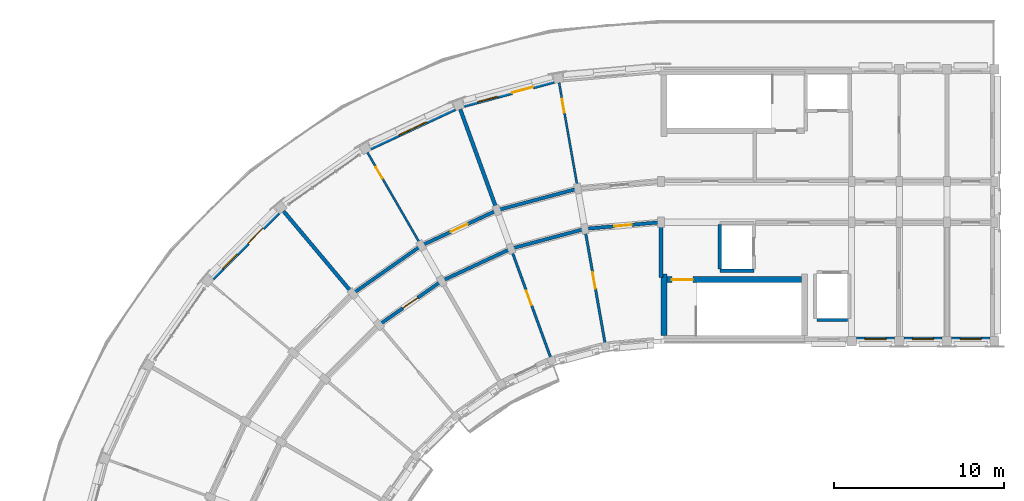
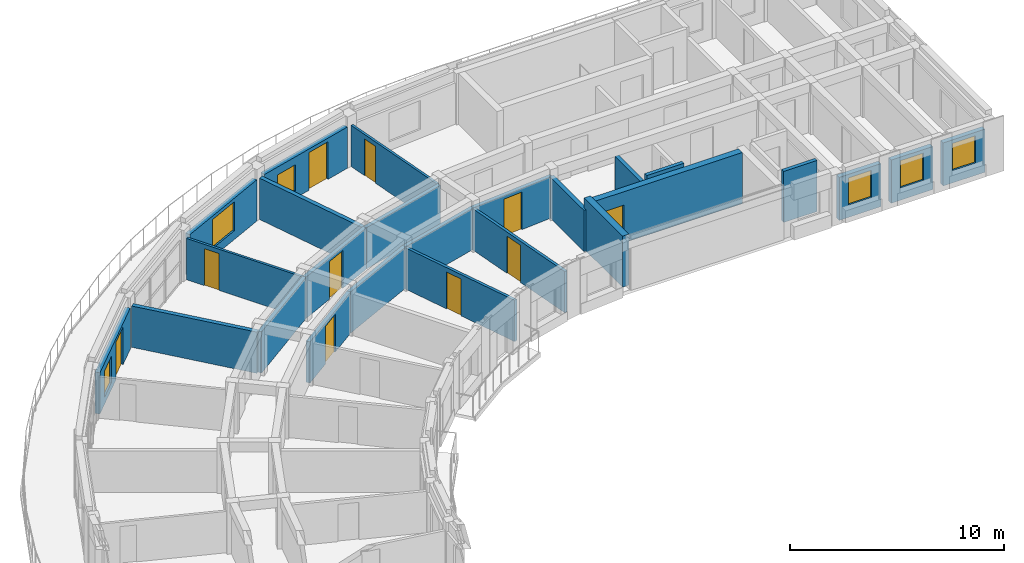
# One storey, part 8 of 14: 25 walls, 10 doors, 6 windows, 16 openings.
"""IFC4 building model written with IfcOpenShell, lengths in metres."""

from ifc_helpers import new_model, si_unit, direction, frame, frame_2d, origin, place, context, subcontext, project, spatial, rectangle, extrude, material, layer, layer_set, type_object, element, fill, save


model = new_model("IFC4")

# Units and contexts
model_context = context("Model", 3, precision=1e-05, world=origin(), true_north=direction((0.0, 1.0)))
body_context = subcontext(model_context, "Body", "Model", "MODEL_VIEW")
ifc_project = project(units=[si_unit("LENGTHUNIT", "METRE"), si_unit("AREAUNIT", "SQUARE_METRE"), si_unit("VOLUMEUNIT", "CUBIC_METRE"), si_unit("PLANEANGLEUNIT", "RADIAN"), si_unit("MASSUNIT", "GRAM", prefix="KILO")], contexts=[model_context])

# Site, building, storey
site_placement = place(None, origin())
site = spatial("IfcSite", under=ifc_project, at=site_placement, CompositionType="ELEMENT")
building_placement = place(site_placement, origin())
building = spatial("IfcBuilding", under=site, at=building_placement, Name="Kiranvali Square Residences", CompositionType="ELEMENT")
storey_placement = place(building_placement, frame((0.0, 0.0, 49.64990234375)))
storey = spatial("IfcBuildingStorey", under=building, at=storey_placement, Name="L15", CompositionType="ELEMENT", Elevation=49.64990234375)

# Wall, opening, door
ifc_material_1 = material(Name="Autoclaved aerated concrete blockwork masonry", Category="masonry")
ifc_layer_1 = layer(ifc_material_1, 0.199951171875)
ifc_layer_set_1 = layer_set([ifc_layer_1], Name="Autoclaved aerated concrete blockwork masonry")
wall_type_1 = type_object("IfcWallType", Name="WL-COR-200", PredefinedType="STANDARD", material=ifc_layer_set_1)
wall_1_placement = place(storey_placement, frame((48.199951171875, 113.60009765625, 0.0), z_axis=(0.0, 0.0, 1.0), x_axis=(-0.996191949488, -0.087187153726, 0.0)))
wall_1 = element("IfcWall", 1, at=wall_1_placement, inside=storey, type_object=wall_type_1, Name="L15 architectural wall WL-L15-A-CCI-0", PredefinedType="STANDARD", context=body_context, shape_type="SweptSolid", body=[
    extrude(rectangle(XDim=4.4970703125, YDim=0.199951171875, at=frame_2d((2.24853515625, 0.0))), origin(), (0.0, 0.0, 1.0), 2.35205078125),
])
opening_1_placement = place(wall_1_placement, frame((1.728515625, 0.0, 0.0)))
opening_1 = element("IfcOpeningElement", 2, at=opening_1_placement, cuts=wall_1, Name="Opening FD-APT-60B", PredefinedType="OPENING", context=body_context, shape_type="SweptSolid", body=[
    extrude(rectangle(XDim=1.0400390625, YDim=2.14990234375, at=frame_2d((0.52001953125, 1.074951171875))), frame((0.0, 0.10986328125, 0.0), z_axis=(0.0, -1.0, 0.0), x_axis=(1.0, 0.0, 0.0)), (0.0, 0.0, 1.0), 0.219970703125),
])
ifc_material_2 = material(Name="Fire-rated acoustic hardwood and mineral-core door assembly", Category="wood")
door_type_1 = type_object("IfcDoorType", Name="DR-APT-1040", OperationType="NOTDEFINED", PredefinedType="DOOR", material=ifc_material_2)
door_1_placement = place(opening_1_placement, origin())
door_1 = element("IfcDoor", 3, at=door_1_placement, inside=storey, type_object=door_type_1, Name="L15 door DR-L15-0933 (DR-APT-1040)", OperationType="SINGLE_SWING_LEFT", OverallHeight=2.14990234375, OverallWidth=1.0400390625, PredefinedType="DOOR", context=body_context, shape_type="SweptSolid", body=[
    extrude(rectangle(XDim=1.0400390625, YDim=2.14990234375, at=frame_2d((0.52001953125, 1.074951171875))), frame((0.0, 0.02490234375, 0.0), z_axis=(0.0, -1.0, 0.0), x_axis=(1.0, 0.0, 0.0)), (0.0, 0.0, 1.0), 0.050048828125),
])
fill(opening_1, door_1)

# Walls
wall_2_placement = place(storey_placement, frame((43.719970703125, 113.2080078125, 0.0), z_axis=(0.0, 0.0, 1.0), x_axis=(-0.965934240054, -0.258787642463, 0.0)))
element("IfcWall", 4, at=wall_2_placement, inside=storey, type_object=wall_type_1, Name="L15 architectural wall WL-L15-A-CCI-1", PredefinedType="STANDARD", context=body_context, shape_type="SweptSolid", body=[
    extrude(rectangle(XDim=4.497314453125, YDim=0.199951171875, at=frame_2d((2.24853515625, 0.0))), origin(), (0.0, 0.0, 1.0), 2.35205078125),
])
wall_3_placement = place(storey_placement, frame((43.30322265625, 115.571533203125, 0.0), z_axis=(0.0, 0.0, 1.0), x_axis=(-0.965930095386, -0.258803112091, 0.0)))
element("IfcWall", 5, at=wall_3_placement, inside=storey, type_object=wall_type_1, Name="L15 architectural wall WL-L15-A-CCO-1", PredefinedType="STANDARD", context=body_context, shape_type="SweptSolid", body=[
    extrude(rectangle(XDim=4.915771484375, YDim=0.199951171875, at=frame_2d((2.4580078125, 0.0))), origin(), (0.0, 0.0, 1.0), 2.35205078125),
])
wall_4_placement = place(storey_placement, frame((39.3759765625, 112.044189453125, 0.0), z_axis=(0.0, 0.0, 1.0), x_axis=(-0.906307919131, -0.422617978463, 0.0)))
element("IfcWall", 6, at=wall_4_placement, inside=storey, type_object=wall_type_1, Name="L15 architectural wall WL-L15-A-CCI-2", PredefinedType="STANDARD", context=body_context, shape_type="SweptSolid", body=[
    extrude(rectangle(XDim=4.497314453125, YDim=0.199951171875, at=frame_2d((2.24853515625, 0.0))), origin(), (0.0, 0.0, 1.0), 2.35205078125),
])

# Wall, opening, door
wall_5_placement = place(storey_placement, frame((38.554931640625, 114.29931640625, 0.0), z_axis=(0.0, 0.0, 1.0), x_axis=(-0.906302381024, -0.422629854778, 0.0)))
wall_5 = element("IfcWall", 7, at=wall_5_placement, inside=storey, type_object=wall_type_1, Name="L15 architectural wall WL-L15-A-CCO-2", PredefinedType="STANDARD", context=body_context, shape_type="SweptSolid", body=[
    extrude(rectangle(XDim=4.915283203125, YDim=0.199951171875, at=frame_2d((2.45751953125, 0.0))), origin(), (0.0, 0.0, 1.0), 2.35205078125),
])
opening_2_placement = place(wall_5_placement, frame((1.917724609375, 0.0, 0.0)))
opening_2 = element("IfcOpeningElement", 8, at=opening_2_placement, cuts=wall_5, Name="Opening FD-APT-60C", PredefinedType="OPENING", context=body_context, shape_type="SweptSolid", body=[
    extrude(rectangle(XDim=1.080078125, YDim=2.14990234375, at=frame_2d((0.5400390625, 1.074951171875))), frame((0.0, 0.10986328125, 0.0), z_axis=(0.0, -1.0, 0.0), x_axis=(1.0, 0.0, 0.0)), (0.0, 0.0, 1.0), 0.219970703125),
])
door_type_2 = type_object("IfcDoorType", Name="DR-APT-1080", OperationType="NOTDEFINED", PredefinedType="DOOR", material=ifc_material_2)
door_2_placement = place(opening_2_placement, frame((1.080078125, 0.0, 0.0), z_axis=(0.0, 0.0, 1.0), x_axis=(-1.0, 0.0, 0.0)))
door_2 = element("IfcDoor", 9, at=door_2_placement, inside=storey, type_object=door_type_2, Name="L15 door DR-L15-0930 (DR-APT-1080)", OperationType="SINGLE_SWING_RIGHT", OverallHeight=2.14990234375, OverallWidth=1.080078125, PredefinedType="DOOR", context=body_context, shape_type="SweptSolid", body=[
    extrude(rectangle(XDim=1.080078125, YDim=2.14990234375, at=frame_2d((0.5400390625, 1.074951171875))), frame((0.0, 0.02490234375, 0.0), z_axis=(0.0, -1.0, 0.0), x_axis=(1.0, 0.0, 0.0)), (0.0, 0.0, 1.0), 0.050048828125),
])
fill(opening_2, door_2)

wall_6_placement = place(storey_placement, frame((35.300048828125, 110.1435546875, 0.0), z_axis=(0.0, 0.0, 1.0), x_axis=(-0.819155404658, -0.573571637217, 0.0)))
wall_6 = element("IfcWall", 10, at=wall_6_placement, inside=storey, type_object=wall_type_1, Name="L15 architectural wall WL-L15-A-CCI-3", PredefinedType="STANDARD", context=body_context, shape_type="SweptSolid", body=[
    extrude(rectangle(XDim=4.497314453125, YDim=0.199951171875, at=frame_2d((2.24853515625, 0.0))), origin(), (0.0, 0.0, 1.0), 2.35205078125),
])
opening_3_placement = place(wall_6_placement, frame((1.708740234375, 0.0, 0.0)))
opening_3 = element("IfcOpeningElement", 11, at=opening_3_placement, cuts=wall_6, Name="Opening FD-APT-60C", PredefinedType="OPENING", context=body_context, shape_type="SweptSolid", body=[
    extrude(rectangle(XDim=1.080078125, YDim=2.14990234375, at=frame_2d((0.5400390625, 1.074951171875))), frame((0.0, 0.10986328125, 0.0), z_axis=(0.0, -1.0, 0.0), x_axis=(1.0, 0.0, 0.0)), (0.0, 0.0, 1.0), 0.219970703125),
])
door_3_placement = place(opening_3_placement, frame((1.080078125, 0.0, 0.0), z_axis=(0.0, 0.0, 1.0), x_axis=(-1.0, 0.0, 0.0)))
door_3 = element("IfcDoor", 12, at=door_3_placement, inside=storey, type_object=door_type_2, Name="L15 door DR-L15-0934 (DR-APT-1080)", OperationType="SINGLE_SWING_RIGHT", OverallHeight=2.14990234375, OverallWidth=1.080078125, PredefinedType="DOOR", context=body_context, shape_type="SweptSolid", body=[
    extrude(rectangle(XDim=1.080078125, YDim=2.14990234375, at=frame_2d((0.5400390625, 1.074951171875))), frame((0.0, 0.02490234375, 0.0), z_axis=(0.0, -1.0, 0.0), x_axis=(1.0, 0.0, 0.0)), (0.0, 0.0, 1.0), 0.050048828125),
])
fill(opening_3, door_3)

# Walls
wall_7_placement = place(storey_placement, frame((34.10009765625, 112.221923828125, 0.0), z_axis=(0.0, 0.0, 1.0), x_axis=(-0.819140911474, -0.573592335331, 0.0)))
element("IfcWall", 13, at=wall_7_placement, inside=storey, type_object=wall_type_1, Name="L15 architectural wall WL-L15-A-CCO-3", PredefinedType="STANDARD", context=body_context, shape_type="SweptSolid", body=[
    extrude(rectangle(XDim=4.915771484375, YDim=0.199951171875, at=frame_2d((2.4580078125, 0.0))), origin(), (0.0, 0.0, 1.0), 2.35205078125),
])
ifc_layer_2 = layer(ifc_material_1, 0.219970703125)
ifc_layer_set_2 = layer_set([ifc_layer_2], Name="Autoclaved aerated concrete blockwork masonry")
wall_type_2 = type_object("IfcWallType", Name="WL-DEM-220", PredefinedType="STANDARD", material=ifc_layer_set_2)
wall_8_placement = place(storey_placement, frame((48.199951171875, 110.35009765625, 0.0), z_axis=(0.0, 0.0, 1.0), x_axis=(0.0, 1.0, 0.0)))
element("IfcWall", 14, at=wall_8_placement, inside=storey, type_object=wall_type_2, Name="L15 architectural wall WL-L15-A-RADI-0", PredefinedType="STANDARD", context=body_context, shape_type="SweptSolid", body=[
    extrude(rectangle(XDim=3.199951171875, YDim=0.219970703125, at=frame_2d((1.60009765625, 0.0))), origin(), (0.0, 0.0, 1.0), 2.35205078125),
])
for number, where, z_axis, x_axis, name in (
    (15, (38.520751953125, 114.393310546875, 0.0), (0.0, 0.0, 1.0), (-0.341992021352, 0.939702855871, 0.0), "L15 architectural wall WL-L15-A-RADO-2"),
    (16, (30.009033203125, 109.47900390625, 0.0), (0.0, 0.0, 1.0), (-0.642771313427, 0.766058117009, 0.0), "L15 architectural wall WL-L15-A-RADO-4"),
):
    element("IfcWall", number, at=place(storey_placement, frame(where, z_axis=z_axis, x_axis=x_axis)), inside=storey, type_object=wall_type_2, Name=name, PredefinedType="STANDARD", context=body_context, shape_type="SweptSolid", body=[
        extrude(rectangle(XDim=6.219970703125, YDim=0.219970703125, at=frame_2d((3.10986328125, 0.0))), origin(), (0.0, 0.0, 1.0), 2.35205078125),
    ])

# Wall, openings, door, window
ifc_material_3 = material(Name="Breathable lime-rendered clay brick masonry", Category="masonry")
ifc_layer_3 = layer(ifc_material_3, 0.25)
ifc_layer_set_3 = layer_set([ifc_layer_3], Name="Breathable lime-rendered clay brick masonry")
wall_type_3 = type_object("IfcWallType", Name="WL-EXT-250", PredefinedType="STANDARD", material=ifc_layer_set_3)
wall_9_placement = place(storey_placement, frame((41.899169921875, 121.872802734375, 0.0), z_axis=(0.0, 0.0, 1.0), x_axis=(-0.965921330231, -0.258835824038, 0.0)))
wall_9 = element("IfcWall", 17, at=wall_9_placement, inside=storey, type_object=wall_type_3, Name="L15 exterior wall A-L15-CRV-01", PredefinedType="STANDARD", context=body_context, shape_type="SweptSolid", body=[
    extrude(rectangle(XDim=5.465087890625, YDim=0.25, at=frame_2d((2.732421875, 0.0))), origin(), (0.0, 0.0, 1.0), 2.35205078125),
])
opening_4_placement = place(wall_9_placement, frame((3.432373046875, 0.0, 0.402099609375)))
opening_4 = element("IfcOpeningElement", 18, at=opening_4_placement, cuts=wall_9, Name="Opening W-06", PredefinedType="OPENING", context=body_context, shape_type="SweptSolid", body=[
    extrude(rectangle(XDim=1.199951171875, YDim=1.5, at=frame_2d((0.60009765625, 0.75))), frame((0.0, 0.135009765625, 0.0), z_axis=(0.0, -1.0, 0.0), x_axis=(1.0, 0.0, 0.0)), (0.0, 0.0, 1.0), 0.27001953125),
])
opening_5_placement = place(wall_9_placement, frame((1.28271484375, 0.0, 0.0)))
opening_5 = element("IfcOpeningElement", 19, at=opening_5_placement, cuts=wall_9, Name="Opening ED-BAL-2", PredefinedType="OPENING", context=body_context, shape_type="SweptSolid", body=[
    extrude(rectangle(XDim=1.260009765625, YDim=2.14990234375, at=frame_2d((0.6298828125, 1.074951171875))), frame((0.0, 0.135009765625, 0.0), z_axis=(0.0, -1.0, 0.0), x_axis=(1.0, 0.0, 0.0)), (0.0, 0.0, 1.0), 0.27001953125),
])
ifc_material_4 = material(Name="Anodised bronze aluminium framing", Category="aluminium")
door_type_3 = type_object("IfcDoorType", Name="DR-BAL-1260", OperationType="NOTDEFINED", PredefinedType="DOOR", material=ifc_material_4)
door_4_placement = place(opening_5_placement, frame((1.260009765625, 0.0, 0.0), z_axis=(0.0, 0.0, 1.0), x_axis=(-1.0, 0.0, 0.0)))
door_4 = element("IfcDoor", 20, at=door_4_placement, inside=storey, type_object=door_type_3, Name="L15 balcony terrace door", OperationType="SINGLE_SWING_RIGHT", OverallHeight=2.14990234375, OverallWidth=1.260009765625, PredefinedType="DOOR", context=body_context, shape_type="SweptSolid", body=[
    extrude(rectangle(XDim=1.260009765625, YDim=2.14990234375, at=frame_2d((0.6298828125, 1.074951171875))), frame((0.0, 0.02490234375, 0.0), z_axis=(0.0, -1.0, 0.0), x_axis=(1.0, 0.0, 0.0)), (0.0, 0.0, 1.0), 0.050048828125),
])
fill(opening_5, door_4)
ifc_material_5 = material(Name="Solar-control low-e double glazing", Category="glass")
window_type_1 = type_object("IfcWindowType", Name="WIN-RES-1200x1500", PartitioningType="SINGLE_PANEL", PredefinedType="WINDOW", material=ifc_material_5)
window_1_placement = place(opening_4_placement, origin())
window_1 = element("IfcWindow", 21, at=window_1_placement, inside=storey, type_object=window_type_1, Name="L15 recessed window A-L15-CRV-01", OverallHeight=1.5, OverallWidth=1.199951171875, PartitioningType="SINGLE_PANEL", PredefinedType="WINDOW", context=body_context, shape_type="SweptSolid", body=[
    extrude(rectangle(XDim=1.199951171875, YDim=1.5, at=frame_2d((0.60009765625, 0.75))), frame((0.0, 0.030029296875, 0.0), z_axis=(0.0, -1.0, 0.0), x_axis=(1.0, 0.0, 0.0)), (0.0, 0.0, 1.0), 0.06005859375),
])
fill(opening_4, window_1)

# Wall, opening, window
wall_10_placement = place(storey_placement, frame((36.078125, 120.260986328125, 0.0), z_axis=(0.0, 0.0, 1.0), x_axis=(-0.906307504033, -0.422618868643, 0.0)))
wall_10 = element("IfcWall", 22, at=wall_10_placement, inside=storey, type_object=wall_type_3, Name="L15 exterior wall A-L15-CRV-02", PredefinedType="STANDARD", context=body_context, shape_type="SweptSolid", body=[
    extrude(rectangle(XDim=5.46484375, YDim=0.25, at=frame_2d((2.732421875, 0.0))), origin(), (0.0, 0.0, 1.0), 2.35205078125),
])
opening_6_placement = place(wall_10_placement, frame((1.83251953125, 0.0, 0.501953125)))
opening_6 = element("IfcOpeningElement", 23, at=opening_6_placement, cuts=wall_10, Name="Opening W-04", PredefinedType="OPENING", context=body_context, shape_type="SweptSolid", body=[
    extrude(rectangle(XDim=1.800048828125, YDim=1.64990234375, at=frame_2d((0.89990234375, 0.824951171875))), frame((0.0, 0.135009765625, 0.0), z_axis=(0.0, -1.0, 0.0), x_axis=(1.0, 0.0, 0.0)), (0.0, 0.0, 1.0), 0.27001953125),
])
window_type_2 = type_object("IfcWindowType", Name="WIN-RES-1800x1650", PartitioningType="DOUBLE_PANEL_VERTICAL", PredefinedType="WINDOW", material=ifc_material_5)
window_2_placement = place(opening_6_placement, origin())
window_2 = element("IfcWindow", 24, at=window_2_placement, inside=storey, type_object=window_type_2, Name="L15 recessed window A-L15-CRV-02", OverallHeight=1.64990234375, OverallWidth=1.800048828125, PartitioningType="DOUBLE_PANEL_VERTICAL", PredefinedType="WINDOW", context=body_context, shape_type="SweptSolid", body=[
    extrude(rectangle(XDim=1.800048828125, YDim=1.64990234375, at=frame_2d((0.89990234375, 0.824951171875))), frame((0.0, 0.030029296875, 0.0), z_axis=(0.0, -1.0, 0.0), x_axis=(1.0, 0.0, 0.0)), (0.0, 0.0, 1.0), 0.06005859375),
])
fill(opening_6, window_2)

# Wall, openings, door, window
wall_11_placement = place(storey_placement, frame((25.706787109375, 114.157470703125, 0.0), z_axis=(0.0, 0.0, 1.0), x_axis=(-0.707106781187, -0.707106781187, 0.0)))
wall_11 = element("IfcWall", 25, at=wall_11_placement, inside=storey, type_object=wall_type_3, Name="L15 exterior wall A-L15-CRV-04", PredefinedType="STANDARD", context=body_context, shape_type="SweptSolid", body=[
    extrude(rectangle(XDim=5.46484375, YDim=0.25, at=frame_2d((2.732421875, 0.0))), origin(), (0.0, 0.0, 1.0), 2.35205078125),
])
opening_7_placement = place(wall_11_placement, frame((3.432373046875, 0.0, 0.402099609375)))
opening_7 = element("IfcOpeningElement", 26, at=opening_7_placement, cuts=wall_11, Name="Opening W-06", PredefinedType="OPENING", context=body_context, shape_type="SweptSolid", body=[
    extrude(rectangle(XDim=1.199951171875, YDim=1.5, at=frame_2d((0.60009765625, 0.75))), frame((0.0, 0.135009765625, 0.0), z_axis=(0.0, -1.0, 0.0), x_axis=(1.0, 0.0, 0.0)), (0.0, 0.0, 1.0), 0.27001953125),
])
opening_8_placement = place(wall_11_placement, frame((1.28271484375, 0.0, 0.0)))
opening_8 = element("IfcOpeningElement", 27, at=opening_8_placement, cuts=wall_11, Name="Opening ED-BAL-2", PredefinedType="OPENING", context=body_context, shape_type="SweptSolid", body=[
    extrude(rectangle(XDim=1.260009765625, YDim=2.14990234375, at=frame_2d((0.6298828125, 1.074951171875))), frame((0.0, 0.135009765625, 0.0), z_axis=(0.0, -1.0, 0.0), x_axis=(1.0, 0.0, 0.0)), (0.0, 0.0, 1.0), 0.27001953125),
])
door_5_placement = place(opening_8_placement, frame((1.260009765625, 0.0, 0.0), z_axis=(0.0, 0.0, 1.0), x_axis=(-1.0, 0.0, 0.0)))
door_5 = element("IfcDoor", 28, at=door_5_placement, inside=storey, type_object=door_type_3, Name="L15 balcony terrace door", OperationType="SINGLE_SWING_LEFT", OverallHeight=2.14990234375, OverallWidth=1.260009765625, PredefinedType="DOOR", context=body_context, shape_type="SweptSolid", body=[
    extrude(rectangle(XDim=1.260009765625, YDim=2.14990234375, at=frame_2d((0.6298828125, 1.074951171875))), frame((0.0, 0.02490234375, 0.0), z_axis=(0.0, -1.0, 0.0), x_axis=(1.0, 0.0, 0.0)), (0.0, 0.0, 1.0), 0.050048828125),
])
fill(opening_8, door_5)
window_3_placement = place(opening_7_placement, origin())
window_3 = element("IfcWindow", 29, at=window_3_placement, inside=storey, type_object=window_type_1, Name="L15 recessed window A-L15-CRV-04", OverallHeight=1.5, OverallWidth=1.199951171875, PartitioningType="SINGLE_PANEL", PredefinedType="WINDOW", context=body_context, shape_type="SweptSolid", body=[
    extrude(rectangle(XDim=1.199951171875, YDim=1.5, at=frame_2d((0.60009765625, 0.75))), frame((0.0, 0.030029296875, 0.0), z_axis=(0.0, -1.0, 0.0), x_axis=(1.0, 0.0, 0.0)), (0.0, 0.0, 1.0), 0.06005859375),
])
fill(opening_7, window_3)

# Wall, opening, window
wall_12_placement = place(storey_placement, frame((59.678466796875, 106.72509765625, 0.0), z_axis=(0.0, 0.0, 1.0), x_axis=(1.0, 0.0, 0.0)))
wall_12 = element("IfcWall", 30, at=wall_12_placement, inside=storey, type_object=wall_type_3, Name="L15 exterior wall A-L15-A1I-0", PredefinedType="STANDARD", context=body_context, shape_type="SweptSolid", body=[
    extrude(rectangle(XDim=2.242919921875, YDim=0.25, at=frame_2d((1.12158203125, 0.0))), origin(), (0.0, 0.0, 1.0), 2.4521484375),
])
opening_9_placement = place(wall_12_placement, frame((0.49658203125, 0.0, 0.701904296875)))
opening_9 = element("IfcOpeningElement", 31, at=opening_9_placement, cuts=wall_12, Name="Opening W-19", PredefinedType="OPENING", context=body_context, shape_type="SweptSolid", body=[
    extrude(rectangle(XDim=1.25, YDim=1.550048828125, at=frame_2d((0.625, 0.77490234375))), frame((0.0, 0.135009765625, 0.0), z_axis=(0.0, -1.0, 0.0), x_axis=(1.0, 0.0, 0.0)), (0.0, 0.0, 1.0), 0.27001953125),
])
window_type_3 = type_object("IfcWindowType", Name="WIN-GDN-1250x1550", PartitioningType="SINGLE_PANEL", PredefinedType="WINDOW", material=ifc_material_5)
window_4_placement = place(opening_9_placement, origin())
window_4 = element("IfcWindow", 32, at=window_4_placement, inside=storey, type_object=window_type_3, Name="L15 recessed window A-L15-A1I-0", OverallHeight=1.550048828125, OverallWidth=1.25, PartitioningType="SINGLE_PANEL", PredefinedType="WINDOW", context=body_context, shape_type="SweptSolid", body=[
    extrude(rectangle(XDim=1.25, YDim=1.550048828125, at=frame_2d((0.625, 0.77490234375))), frame((0.0, 0.030029296875, 0.0), z_axis=(0.0, -1.0, 0.0), x_axis=(1.0, 0.0, 0.0)), (0.0, 0.0, 1.0), 0.06005859375),
])
fill(opening_9, window_4)

wall_13_placement = place(storey_placement, frame((62.478515625, 106.72509765625, 0.0), z_axis=(0.0, 0.0, 1.0), x_axis=(1.0, 0.0, 0.0)))
wall_13 = element("IfcWall", 33, at=wall_13_placement, inside=storey, type_object=wall_type_3, Name="L15 exterior wall A-L15-A1I-1", PredefinedType="STANDARD", context=body_context, shape_type="SweptSolid", body=[
    extrude(rectangle(XDim=2.242919921875, YDim=0.25, at=frame_2d((1.12158203125, 0.0))), origin(), (0.0, 0.0, 1.0), 2.4521484375),
])
opening_10_placement = place(wall_13_placement, frame((0.49658203125, 0.0, 0.701904296875)))
opening_10 = element("IfcOpeningElement", 34, at=opening_10_placement, cuts=wall_13, Name="Opening W-19", PredefinedType="OPENING", context=body_context, shape_type="SweptSolid", body=[
    extrude(rectangle(XDim=1.25, YDim=1.550048828125, at=frame_2d((0.625, 0.77490234375))), frame((0.0, 0.135009765625, 0.0), z_axis=(0.0, -1.0, 0.0), x_axis=(1.0, 0.0, 0.0)), (0.0, 0.0, 1.0), 0.27001953125),
])
window_5_placement = place(opening_10_placement, origin())
window_5 = element("IfcWindow", 35, at=window_5_placement, inside=storey, type_object=window_type_3, Name="L15 recessed window A-L15-A1I-1", OverallHeight=1.550048828125, OverallWidth=1.25, PartitioningType="SINGLE_PANEL", PredefinedType="WINDOW", context=body_context, shape_type="SweptSolid", body=[
    extrude(rectangle(XDim=1.25, YDim=1.550048828125, at=frame_2d((0.625, 0.77490234375))), frame((0.0, 0.030029296875, 0.0), z_axis=(0.0, -1.0, 0.0), x_axis=(1.0, 0.0, 0.0)), (0.0, 0.0, 1.0), 0.06005859375),
])
fill(opening_10, window_5)

wall_14_placement = place(storey_placement, frame((65.278564453125, 106.72509765625, 0.0), z_axis=(0.0, 0.0, 1.0), x_axis=(1.0, 0.0, 0.0)))
wall_14 = element("IfcWall", 36, at=wall_14_placement, inside=storey, type_object=wall_type_3, Name="L15 exterior wall A-L15-A1I-2", PredefinedType="STANDARD", context=body_context, shape_type="SweptSolid", body=[
    extrude(rectangle(XDim=2.242919921875, YDim=0.25, at=frame_2d((1.12158203125, 0.0))), origin(), (0.0, 0.0, 1.0), 2.4521484375),
])
opening_11_placement = place(wall_14_placement, frame((0.49658203125, 0.0, 0.701904296875)))
opening_11 = element("IfcOpeningElement", 37, at=opening_11_placement, cuts=wall_14, Name="Opening W-19", PredefinedType="OPENING", context=body_context, shape_type="SweptSolid", body=[
    extrude(rectangle(XDim=1.25, YDim=1.550048828125, at=frame_2d((0.625, 0.77490234375))), frame((0.0, 0.135009765625, 0.0), z_axis=(0.0, -1.0, 0.0), x_axis=(1.0, 0.0, 0.0)), (0.0, 0.0, 1.0), 0.27001953125),
])
window_6_placement = place(opening_11_placement, origin())
window_6 = element("IfcWindow", 38, at=window_6_placement, inside=storey, type_object=window_type_3, Name="L15 recessed window A-L15-A1I-2", OverallHeight=1.550048828125, OverallWidth=1.25, PartitioningType="SINGLE_PANEL", PredefinedType="WINDOW", context=body_context, shape_type="SweptSolid", body=[
    extrude(rectangle(XDim=1.25, YDim=1.550048828125, at=frame_2d((0.625, 0.77490234375))), frame((0.0, 0.030029296875, 0.0), z_axis=(0.0, -1.0, 0.0), x_axis=(1.0, 0.0, 0.0)), (0.0, 0.0, 1.0), 0.06005859375),
])
fill(opening_11, window_6)

# Wall, opening, door
ifc_material_6 = material(Name="Acoustic gypsum board drylined partition", Category="gypsum")
ifc_layer_4 = layer(ifc_material_6, 0.125)
ifc_layer_set_4 = layer_set([ifc_layer_4], Name="Acoustic gypsum board drylined partition")
wall_type_4 = type_object("IfcWallType", Name="WL-PRT-125", PredefinedType="PARTITIONING", material=ifc_layer_set_4)
wall_15_placement = place(storey_placement, frame((43.28564453125, 115.670166015625, 0.0), z_axis=(0.0, 0.0, 1.0), x_axis=(-0.173646504755, 0.98480804799, 0.0)))
wall_15 = element("IfcWall", 39, at=wall_15_placement, inside=storey, type_object=wall_type_4, Name="L15 architectural wall WL-L15-A-RADO-1", PredefinedType="PARTITIONING", context=body_context, shape_type="SweptSolid", body=[
    extrude(rectangle(XDim=6.219970703125, YDim=0.125, at=frame_2d((3.10986328125, 0.0))), origin(), (0.0, 0.0, 1.0), 2.35205078125),
])
opening_12_placement = place(wall_15_placement, frame((4.44970703125, 0.0, 0.0)))
opening_12 = element("IfcOpeningElement", 40, at=opening_12_placement, cuts=wall_15, Name="Opening ID-WET", PredefinedType="OPENING", context=body_context, shape_type="SweptSolid", body=[
    extrude(rectangle(XDim=0.800048828125, YDim=2.10009765625, at=frame_2d((0.39990234375, 1.050048828125))), frame((0.0, 0.072509765625, 0.0), z_axis=(0.0, -1.0, 0.0), x_axis=(1.0, 0.0, 0.0)), (0.0, 0.0, 1.0), 0.14501953125),
])
ifc_material_7 = material(Name="Solid seasoned teak hardwood joinery", Category="wood")
door_type_4 = type_object("IfcDoorType", Name="DR-WET-800", OperationType="NOTDEFINED", PredefinedType="DOOR", material=ifc_material_7)
door_6_placement = place(opening_12_placement, origin())
door_6 = element("IfcDoor", 41, at=door_6_placement, inside=storey, type_object=door_type_4, Name="L15 door DR-L15-0919 (DR-WET-800)", OperationType="SINGLE_SWING_LEFT", OverallHeight=2.10009765625, OverallWidth=0.800048828125, PredefinedType="DOOR", context=body_context, shape_type="SweptSolid", body=[
    extrude(rectangle(XDim=0.800048828125, YDim=2.10009765625, at=frame_2d((0.39990234375, 1.050048828125))), frame((0.0, 0.02490234375, 0.0), z_axis=(0.0, -1.0, 0.0), x_axis=(1.0, 0.0, 0.0)), (0.0, 0.0, 1.0), 0.050048828125),
])
fill(opening_12, door_6)

wall_16_placement = place(storey_placement, frame((34.050048828125, 112.30859375, 0.0), z_axis=(0.0, 0.0, 1.0), x_axis=(-0.500010116563, 0.866019562905, 0.0)))
wall_16 = element("IfcWall", 42, at=wall_16_placement, inside=storey, type_object=wall_type_4, Name="L15 architectural wall WL-L15-A-RADO-3", PredefinedType="PARTITIONING", context=body_context, shape_type="SweptSolid", body=[
    extrude(rectangle(XDim=6.219970703125, YDim=0.125, at=frame_2d((3.10986328125, 0.0))), origin(), (0.0, 0.0, 1.0), 2.35205078125),
])
opening_13_placement = place(wall_16_placement, frame((4.44970703125, 0.0, 0.0)))
opening_13 = element("IfcOpeningElement", 43, at=opening_13_placement, cuts=wall_16, Name="Opening ID-WET", PredefinedType="OPENING", context=body_context, shape_type="SweptSolid", body=[
    extrude(rectangle(XDim=0.800048828125, YDim=2.10009765625, at=frame_2d((0.39990234375, 1.050048828125))), frame((0.0, 0.072509765625, 0.0), z_axis=(0.0, -1.0, 0.0), x_axis=(1.0, 0.0, 0.0)), (0.0, 0.0, 1.0), 0.14501953125),
])
door_7_placement = place(opening_13_placement, origin())
door_7 = element("IfcDoor", 44, at=door_7_placement, inside=storey, type_object=door_type_4, Name="L15 door DR-L15-0921 (DR-WET-800)", OperationType="SINGLE_SWING_LEFT", OverallHeight=2.10009765625, OverallWidth=0.800048828125, PredefinedType="DOOR", context=body_context, shape_type="SweptSolid", body=[
    extrude(rectangle(XDim=0.800048828125, YDim=2.10009765625, at=frame_2d((0.39990234375, 1.050048828125))), frame((0.0, 0.02490234375, 0.0), z_axis=(0.0, -1.0, 0.0), x_axis=(1.0, 0.0, 0.0)), (0.0, 0.0, 1.0), 0.050048828125),
])
fill(opening_13, door_7)

ifc_layer_5 = layer(ifc_material_6, 0.14990234375)
ifc_layer_set_5 = layer_set([ifc_layer_5], Name="Acoustic gypsum board drylined partition")
wall_type_5 = type_object("IfcWallType", Name="WL-PRT-150", PredefinedType="PARTITIONING", material=ifc_layer_set_5)
wall_17_placement = place(storey_placement, frame((44.900634765625, 106.51123046875, 0.0), z_axis=(0.0, 0.0, 1.0), x_axis=(-0.173647089161, 0.984807944945, 0.0)))
wall_17 = element("IfcWall", 45, at=wall_17_placement, inside=storey, type_object=wall_type_5, Name="L15 architectural wall WL-L15-A-RADI-1", PredefinedType="PARTITIONING", context=body_context, shape_type="SweptSolid", body=[
    extrude(rectangle(XDim=6.75, YDim=0.14990234375, at=frame_2d((3.375, 0.0))), origin(), (0.0, 0.0, 1.0), 2.35205078125),
])
opening_14_placement = place(wall_17_placement, frame((3.222412109375, 0.0, 0.0)))
opening_14 = element("IfcOpeningElement", 46, at=opening_14_placement, cuts=wall_17, Name="Opening ID-3", PredefinedType="OPENING", context=body_context, shape_type="SweptSolid", body=[
    extrude(rectangle(XDim=0.97998046875, YDim=2.1201171875, at=frame_2d((0.489990234375, 1.06005859375))), frame((0.0, 0.0849609375, 0.0), z_axis=(0.0, -1.0, 0.0), x_axis=(1.0, 0.0, 0.0)), (0.0, 0.0, 1.0), 0.169921875),
])
door_type_5 = type_object("IfcDoorType", Name="DR-INT-980", OperationType="NOTDEFINED", PredefinedType="DOOR", material=ifc_material_7)
door_8_placement = place(opening_14_placement, frame((0.97998046875, 0.0, 0.0), z_axis=(0.0, 0.0, 1.0), x_axis=(-1.0, 0.0, 0.0)))
door_8 = element("IfcDoor", 47, at=door_8_placement, inside=storey, type_object=door_type_5, Name="L15 door DR-L15-0918 (DR-INT-980)", OperationType="SINGLE_SWING_RIGHT", OverallHeight=2.1201171875, OverallWidth=0.97998046875, PredefinedType="DOOR", context=body_context, shape_type="SweptSolid", body=[
    extrude(rectangle(XDim=0.97998046875, YDim=2.1201171875, at=frame_2d((0.489990234375, 1.06005859375))), frame((0.0, 0.02490234375, 0.0), z_axis=(0.0, -1.0, 0.0), x_axis=(1.0, 0.0, 0.0)), (0.0, 0.0, 1.0), 0.050048828125),
])
fill(opening_14, door_8)

wall_18_placement = place(storey_placement, frame((41.70166015625, 105.654052734375, 0.0), z_axis=(0.0, 0.0, 1.0), x_axis=(-0.342010221662, 0.939696231917, 0.0)))
wall_18 = element("IfcWall", 48, at=wall_18_placement, inside=storey, type_object=wall_type_5, Name="L15 architectural wall WL-L15-A-RADI-2", PredefinedType="PARTITIONING", context=body_context, shape_type="SweptSolid", body=[
    extrude(rectangle(XDim=6.75, YDim=0.14990234375, at=frame_2d((3.375, 0.0))), origin(), (0.0, 0.0, 1.0), 2.35205078125),
])
opening_15_placement = place(wall_18_placement, frame((3.262451171875, 0.0, 0.0)))
opening_15 = element("IfcOpeningElement", 49, at=opening_15_placement, cuts=wall_18, Name="Opening ID-1", PredefinedType="OPENING", context=body_context, shape_type="SweptSolid", body=[
    extrude(rectangle(XDim=0.89990234375, YDim=2.10009765625, at=frame_2d((0.449951171875, 1.050048828125))), frame((0.0, 0.0849609375, 0.0), z_axis=(0.0, -1.0, 0.0), x_axis=(1.0, 0.0, 0.0)), (0.0, 0.0, 1.0), 0.169921875),
])
door_type_6 = type_object("IfcDoorType", Name="DR-INT-900", OperationType="NOTDEFINED", PredefinedType="DOOR", material=ifc_material_7)
door_9_placement = place(opening_15_placement, frame((0.89990234375, 0.0, 0.0), z_axis=(0.0, 0.0, 1.0), x_axis=(-1.0, 0.0, 0.0)))
door_9 = element("IfcDoor", 50, at=door_9_placement, inside=storey, type_object=door_type_6, Name="L15 door DR-L15-0920 (DR-INT-900)", OperationType="SINGLE_SWING_RIGHT", OverallHeight=2.10009765625, OverallWidth=0.89990234375, PredefinedType="DOOR", context=body_context, shape_type="SweptSolid", body=[
    extrude(rectangle(XDim=0.89990234375, YDim=2.10009765625, at=frame_2d((0.449951171875, 1.050048828125))), frame((0.0, 0.02490234375, 0.0), z_axis=(0.0, -1.0, 0.0), x_axis=(1.0, 0.0, 0.0)), (0.0, 0.0, 1.0), 0.050048828125),
])
fill(opening_15, door_9)

# Walls
ifc_layer_6 = layer(ifc_material_1, 0.199951171875)
ifc_layer_set_6 = layer_set([ifc_layer_6], Name="Autoclaved aerated concrete blockwork masonry")
wall_type_6 = type_object("IfcWallType", Name="WL-SHF-200", PredefinedType="STANDARD", material=ifc_layer_set_6)
wall_19_placement = place(storey_placement, frame((57.35009765625, 107.85009765625, 0.0), z_axis=(0.0, 0.0, 1.0), x_axis=(1.0, 0.0, 0.0)))
element("IfcWall", 51, at=wall_19_placement, inside=storey, type_object=wall_type_6, Name="L15 architectural wall WL-L15-A-LP1-S2", PredefinedType="STANDARD", context=body_context, shape_type="SweptSolid", body=[
    extrude(rectangle(XDim=1.7998046875, YDim=0.199951171875, at=frame_2d((0.89990234375, 0.0))), origin(), (0.0, 0.0, 1.0), 2.91015625),
])
wall_20_placement = place(storey_placement, frame((51.64990234375, 110.75, 0.0), z_axis=(0.0, 0.0, 1.0), x_axis=(1.0, 0.0, 0.0)))
element("IfcWall", 52, at=wall_20_placement, inside=storey, type_object=wall_type_6, Name="L15 architectural wall WL-L15-A-LP2-S0", PredefinedType="STANDARD", context=body_context, shape_type="SweptSolid", body=[
    extrude(rectangle(XDim=2.0, YDim=0.199951171875, at=frame_2d((1.0, 0.0))), origin(), (0.0, 0.0, 1.0), 2.91015625),
])
wall_21_placement = place(storey_placement, frame((51.64990234375, 110.85009765625, 0.0), z_axis=(0.0, 0.0, 1.0), x_axis=(0.0, 1.0, 0.0)))
element("IfcWall", 53, at=wall_21_placement, inside=storey, type_object=wall_type_6, Name="L15 architectural wall WL-L15-A-LP2-S1", PredefinedType="STANDARD", context=body_context, shape_type="SweptSolid", body=[
    extrude(rectangle(XDim=2.599853515625, YDim=0.199951171875, at=frame_2d((1.2998046875, 0.0))), origin(), (0.0, 0.0, 1.0), 2.35205078125),
])

# Wall, opening, door
ifc_material_8 = material(Name="Concrete M45 (45 MPa)", Category="concrete")
ifc_layer_7 = layer(ifc_material_8, 0.320068359375)
ifc_layer_set_7 = layer_set([ifc_layer_7], Name="Concrete M45 (45 MPa)")
wall_type_7 = type_object("IfcWallType", Name="WL-SHR-320", PredefinedType="SHEAR", material=ifc_layer_set_7)
wall_22_placement = place(storey_placement, frame((48.550048828125, 110.22509765625, 0.0), z_axis=(0.0, 0.0, 1.0), x_axis=(1.0, 0.0, 0.0)))
wall_22 = element("IfcWall", 54, at=wall_22_placement, inside=storey, type_object=wall_type_7, Name="Block A core shear wall SW-A2-IN-L15", PredefinedType="SHEAR", context=body_context, shape_type="SweptSolid", body=[
    extrude(rectangle(XDim=7.89990234375, YDim=0.35009765625, at=frame_2d((3.949951171875, 0.0))), origin(), (0.0, 0.0, 1.0), 2.91015625),
])
opening_16_placement = place(wall_22_placement, frame((0.280029296875, 0.0, 0.0)))
opening_16 = element("IfcOpeningElement", 55, at=opening_16_placement, cuts=wall_22, Name="Opening FD-ST-120", PredefinedType="OPENING", context=body_context, shape_type="SweptSolid", body=[
    extrude(rectangle(XDim=1.239990234375, YDim=2.14990234375, at=frame_2d((0.6201171875, 1.074951171875))), frame((0.0, 0.18505859375, 0.0), z_axis=(0.0, -1.0, 0.0), x_axis=(1.0, 0.0, 0.0)), (0.0, 0.0, 1.0), 0.3701171875),
])
door_type_7 = type_object("IfcDoorType", Name="DR-FD120-1200", OperationType="NOTDEFINED", PredefinedType="DOOR", material=ifc_material_2)
door_10_placement = place(opening_16_placement, frame((1.239990234375, 0.0, 0.0), z_axis=(0.0, 0.0, 1.0), x_axis=(-1.0, 0.0, 0.0)))
door_10 = element("IfcDoor", 56, at=door_10_placement, inside=storey, type_object=door_type_7, Name="L15 door DR-L15-0905 (DR-FD120-1200)", OperationType="SINGLE_SWING_LEFT", OverallHeight=2.14990234375, OverallWidth=1.239990234375, PredefinedType="DOOR", context=body_context, shape_type="SweptSolid", body=[
    extrude(rectangle(XDim=1.239990234375, YDim=2.14990234375, at=frame_2d((0.6201171875, 1.074951171875))), frame((0.0, 0.02490234375, 0.0), z_axis=(0.0, -1.0, 0.0), x_axis=(1.0, 0.0, 0.0)), (0.0, 0.0, 1.0), 0.050048828125),
])
fill(opening_16, door_10)

# Wall
wall_23_placement = place(storey_placement, frame((48.375, 106.949951171875, 0.0), z_axis=(0.0, 0.0, 1.0), x_axis=(0.0, 1.0, 0.0)))
element("IfcWall", 57, at=wall_23_placement, inside=storey, type_object=wall_type_7, Name="Block A core shear wall SW-A2-NEAR-L15", PredefinedType="SHEAR", context=body_context, shape_type="SweptSolid", body=[
    extrude(rectangle(XDim=3.60009765625, YDim=0.35009765625, at=frame_2d((1.800048828125, 0.0))), origin(), (0.0, 0.0, 1.0), 2.91015625),
])

save(model, "model.ifc")
